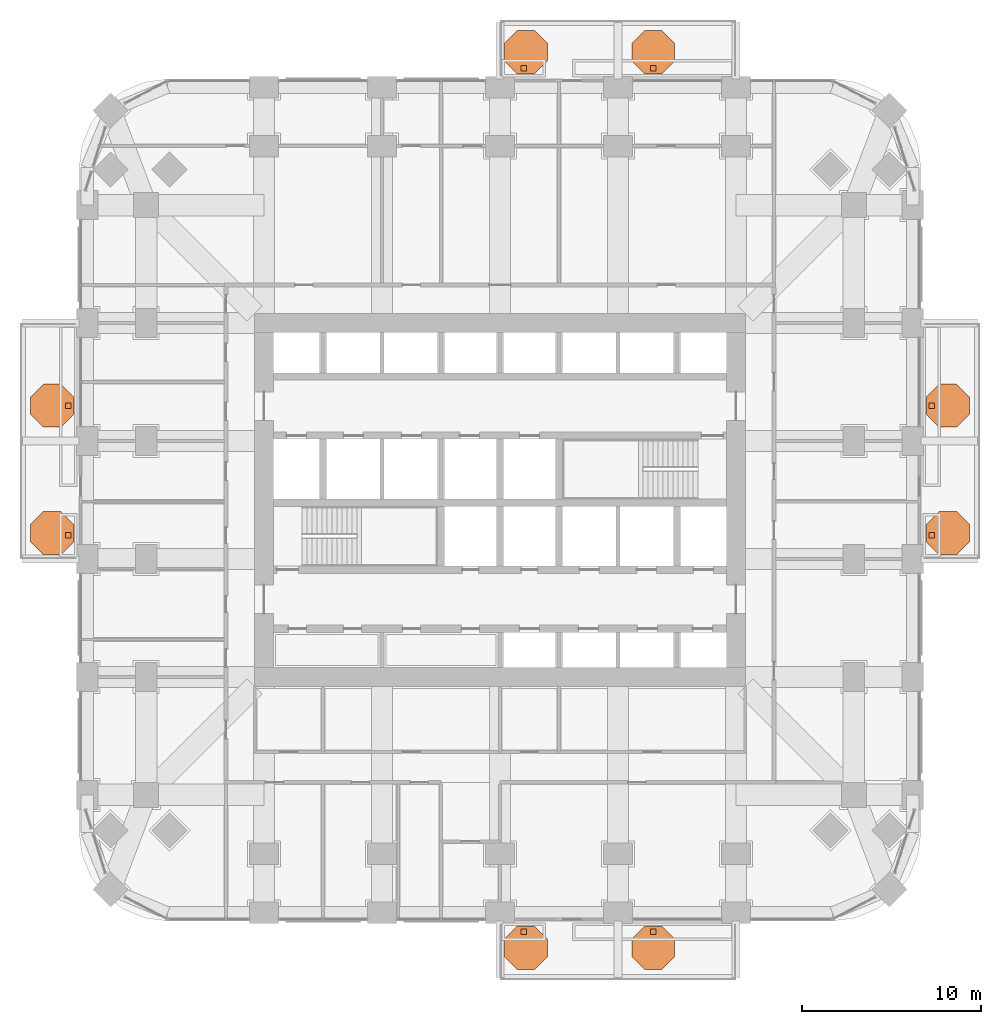
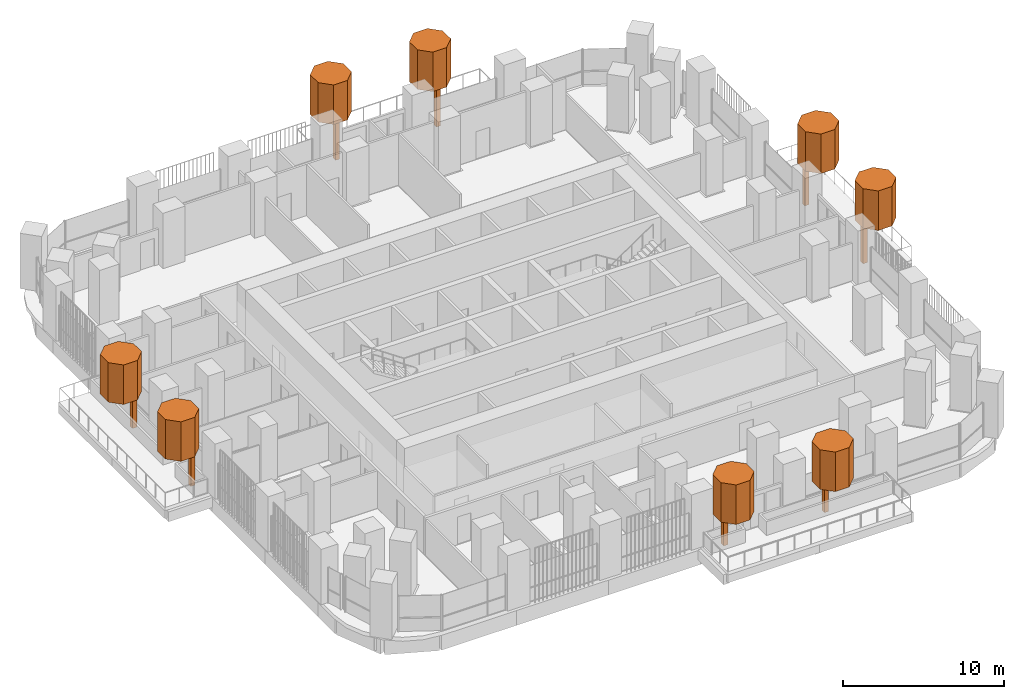
# One storey, part 21 of 21: 16 geographic elements.
"""IFC4 building model written with IfcOpenShell, lengths in metres."""

import ifcopenshell
import ifcopenshell.guid

model = None  # the IFC model being written
_history = None  # IfcOwnerHistory: only IFC2X3 demands one
_inside = {}  # id of a spatial element -> (the spatial element, [elements in it])
_under = {}  # id of a project, library or spatial element -> (it, [spatial elements below it])
_declared = {}  # id of a project -> (the project, [libraries it declares])
_typed = {}  # id of a type object -> (the type object, [elements of that type])
_made_of = {}  # id of a material, layer set ... -> (it, [elements and type objects made of it])


def new_model(schema):
    """Start an empty IFC model of exactly this schema.

    Asked for "IFC4X3", IfcOpenShell would pick the latest addendum, in which some entities
    have other attributes; the version numbers below select the first issue.
    IFC2X3 requires an IfcOwnerHistory on every rooted entity: one is made here for all.
    """
    global model, _history
    if schema == "IFC4X3":
        model = ifcopenshell.file(schema_version=(4, 3, 0, 0))
    else:
        model = ifcopenshell.file(schema=schema)
    _inside.clear()
    _under.clear()
    _declared.clear()
    _typed.clear()
    _made_of.clear()
    _history = None
    if model.schema == "IFC2X3":
        org = make("IfcOrganization", Name="unknown")
        user = make(
            "IfcPersonAndOrganization",
            ThePerson=make("IfcPerson", FamilyName="unknown"),
            TheOrganization=org,
        )
        app = make(
            "IfcApplication",
            ApplicationDeveloper=org,
            Version="unknown",
            ApplicationFullName="unknown",
            ApplicationIdentifier="unknown",
        )
        _history = make(
            "IfcOwnerHistory",
            OwningUser=user,
            OwningApplication=app,
            ChangeAction="ADDED",
            CreationDate=0,
        )
    return model


def make(cls, **values):
    """One entity of the class cls with the attributes given. An attribute that is None is left unset."""
    return model.create_entity(
        cls, **{name: value for name, value in values.items() if value is not None}
    )


def rooted(cls, **values):
    """An entity with a GlobalId (a new one), such as an element, a storey or a relation."""
    return make(cls, GlobalId=ifcopenshell.guid.new(), OwnerHistory=_history, **values)


def si_unit(unit_type, name, prefix=None):
    """IfcSIUnit, for example si_unit("LENGTHUNIT", "METRE", prefix="MILLI")."""
    return make("IfcSIUnit", UnitType=unit_type, Prefix=prefix, Name=name)


def assignment(units):
    """IfcUnitAssignment: the units of a project."""
    return None if units is None else make("IfcUnitAssignment", Units=units)


def point(xyz):
    """IfcCartesianPoint."""
    return None if xyz is None else make("IfcCartesianPoint", Coordinates=xyz)


def direction(xyz):
    """IfcDirection."""
    return None if xyz is None else make("IfcDirection", DirectionRatios=xyz)


def frame(location, z_axis=None, x_axis=None):
    """IfcAxis2Placement3D, a coordinate frame: its origin and axes. An axis left out is left unset."""
    return make(
        "IfcAxis2Placement3D",
        Location=point(location),
        Axis=direction(z_axis),
        RefDirection=direction(x_axis),
    )


def frame_2d(location, x_axis=None):
    """IfcAxis2Placement2D, a coordinate frame in the plane: its origin and x axis."""
    return make(
        "IfcAxis2Placement2D", Location=point(location), RefDirection=direction(x_axis)
    )


def origin():
    """The frame at (0, 0, 0) with its axes left unset."""
    return frame((0.0, 0.0, 0.0))


def origin_2d():
    """The frame at (0, 0) in the plane with its x axis left unset."""
    return frame_2d((0.0, 0.0))


def place(relative_to, where):
    """IfcLocalPlacement: puts the frame where relative to a parent placement (None: the world)."""
    return make(
        "IfcLocalPlacement", PlacementRelTo=relative_to, RelativePlacement=where
    )


def context(
    kind, dimensions, precision=None, world=None, true_north=None, identifier=None
):
    """IfcGeometricRepresentationContext, for example the 3D "Model" context."""
    return make(
        "IfcGeometricRepresentationContext",
        ContextIdentifier=identifier,
        ContextType=kind,
        CoordinateSpaceDimension=dimensions,
        Precision=precision,
        WorldCoordinateSystem=world,
        TrueNorth=true_north,
    )


def subcontext(parent, identifier, kind, view, scale=None):
    """IfcGeometricRepresentationSubContext, for example "Body" below "Model"."""
    return make(
        "IfcGeometricRepresentationSubContext",
        ContextIdentifier=identifier,
        ContextType=kind,
        ParentContext=parent,
        TargetScale=scale,
        TargetView=view,
    )


def project(units=None, contexts=None):
    """IfcProject with its units and contexts."""
    return rooted(
        "IfcProject",
        Name="project",
        RepresentationContexts=contexts,
        UnitsInContext=assignment(units),
    )


def spatial(cls, under=None, at=None, **own):
    """A site, building, storey or space (cls), placed at a placement, below another one or the project."""
    s = rooted(cls, ObjectPlacement=at, **own)
    if under is not None:
        _under.setdefault(under.id(), (under, []))[1].append(s)
    return s


def polyline(points):
    """IfcPolyline through the points."""
    return make("IfcPolyline", Points=[point(p) for p in points])


def profile(cls, at=None, kind="AREA", **sizes):
    """A parametric profile (cls). Its sizes go by their IFC names, for example OverallWidth=200.0."""
    return make(cls, ProfileType=kind, Position=at, **sizes)


def rectangle(**sizes):
    """IfcRectangleProfileDef."""
    return profile("IfcRectangleProfileDef", **sizes)


def outline(outer, holes=None, kind="AREA"):
    """IfcArbitraryClosedProfileDef: a profile drawn as a closed curve; with holes, ...WithVoids."""
    if holes is None:
        return make("IfcArbitraryClosedProfileDef", ProfileType=kind, OuterCurve=outer)
    return make(
        "IfcArbitraryProfileDefWithVoids",
        ProfileType=kind,
        OuterCurve=outer,
        InnerCurves=holes,
    )


def extrude(swept, where, along, depth):
    """IfcExtrudedAreaSolid: the profile swept, set in the frame where, extruded along a direction by depth."""
    return make(
        "IfcExtrudedAreaSolid",
        SweptArea=swept,
        Position=where,
        ExtrudedDirection=direction(along),
        Depth=depth,
    )


def shape(context_of_items, identifier, shape_type, items):
    """IfcShapeRepresentation: the items that make up one representation, for example the "Body"."""
    return make(
        "IfcShapeRepresentation",
        ContextOfItems=context_of_items,
        RepresentationIdentifier=identifier,
        RepresentationType=shape_type,
        Items=items,
    )


def material(Name=None, Category=None):
    """IfcMaterial."""
    return make("IfcMaterial", Name=Name, Category=Category)


def made_of(thing, what):
    """Note that an element or type object is made of a material, layer set ...; save() writes the relation."""
    if what is not None:
        _made_of.setdefault(what.id(), (what, []))[1].append(thing)
    return thing


def type_object(cls, material=None, **own):
    """A type object (cls), such as IfcWallType, which elements share."""
    return made_of(rooted(cls, **own), material)


def element(
    cls,
    number,
    at=None,
    inside=None,
    cuts=None,
    type_object=None,
    material=None,
    context=None,
    identifier="Body",
    shape_type=None,
    held_by="IfcProductDefinitionShape",
    body=None,
    shapes=None,
    **own,
):
    """One element of the class cls, such as IfcWall. Its Tag is "e" and its number.

    at: its placement. inside: the storey or other place that contains it. cuts: it is an
    opening in that element (IfcRelVoidsElement). A single representation is given by context,
    identifier, shape_type and body (its items); several are given by shapes. held_by: the class
    of the entity that holds the representations. save() writes the other relations.
    """
    e = rooted(cls, Tag="e%d" % number, ObjectPlacement=at, **own)
    if body is not None:
        shapes = [shape(context, identifier, shape_type, body)]
    if shapes is not None:
        e.Representation = make(held_by, Representations=shapes)
    if inside is not None:
        _inside.setdefault(inside.id(), (inside, []))[1].append(e)
    if cuts is not None:
        rooted(
            "IfcRelVoidsElement", RelatingBuildingElement=cuts, RelatedOpeningElement=e
        )
    if type_object is not None:
        _typed.setdefault(type_object.id(), (type_object, []))[1].append(e)
    return made_of(e, material)


def aggregate(whole, parts):
    """IfcRelAggregates: a whole, such as a stair, and the parts it consists of."""
    return rooted("IfcRelAggregates", RelatingObject=whole, RelatedObjects=parts)


def save(model, path):
    """Write the relations noted so far, then the file.

    IfcRelAggregates (storeys below a building ...), IfcRelContainedInSpatialStructure (elements
    in a storey), IfcRelDefinesByType, IfcRelAssociatesMaterial and IfcRelDeclares: one each for
    every whole, place, type object, material and project.
    """
    for whole, parts in _under.values():
        aggregate(whole, parts)
    for where, things in _inside.values():
        rooted(
            "IfcRelContainedInSpatialStructure",
            RelatedElements=things,
            RelatingStructure=where,
        )
    for kind, things in _typed.values():
        rooted("IfcRelDefinesByType", RelatedObjects=things, RelatingType=kind)
    for what, things in _made_of.values():
        rooted("IfcRelAssociatesMaterial", RelatedObjects=things, RelatingMaterial=what)
    for by, libraries in _declared.values():
        rooted("IfcRelDeclares", RelatingContext=by, RelatedDefinitions=libraries)
    model.write(path)


model = new_model("IFC4")

# Units and contexts
model_context = context("Model", 3, precision=1e-05, world=origin(), true_north=direction((0.0, 1.0)))
body_context = subcontext(model_context, "Body", "Model", "MODEL_VIEW")
ifc_project = project(units=[si_unit("LENGTHUNIT", "METRE"), si_unit("AREAUNIT", "SQUARE_METRE"), si_unit("VOLUMEUNIT", "CUBIC_METRE"), si_unit("PLANEANGLEUNIT", "RADIAN"), si_unit("MASSUNIT", "GRAM", prefix="KILO")], contexts=[model_context])

# Site, building, storey
site_placement = place(None, origin())
site = spatial("IfcSite", under=ifc_project, at=site_placement, CompositionType="ELEMENT")
building_placement = place(site_placement, origin())
building = spatial("IfcBuilding", under=site, at=building_placement, Name="Cobogo Forest Laboratory Tower", CompositionType="ELEMENT")
storey_placement = place(building_placement, frame((0.0, 0.0, 86.39990234375)))
storey = spatial("IfcBuildingStorey", under=building, at=storey_placement, Name="L19", CompositionType="ELEMENT", Elevation=86.39990234375)

# Geographic elements
ifc_material = material(Name="Planting", Category="plant")
geographic_element_type_1 = type_object("IfcGeographicElementType", Name="Tree trunk 300", PredefinedType="USERDEFINED", material=ifc_material)
for number, where, z_axis, x_axis, name in (
    (1, (27.72509765625, -1.050048828125, 0.000244140625), (0.0, 0.0, 1.0), (1.0, 0.0, 0.0), "Tree trunk BAL-S1-PL1 L19"),
    (2, (34.97509765625, -1.050048828125, 0.000244140625), (0.0, 0.0, 1.0), (1.0, 0.0, 0.0), "Tree trunk BAL-S1-PL2 L19"),
    (3, (50.550048828125, 21.125, 0.000244140625), (0.0, 0.0, 1.0), (1.0, 0.0, 0.0), "Tree trunk BAL-E1-PL1 L19"),
    (4, (50.550048828125, 28.375, 0.000244140625), (0.0, 0.0, 1.0), (1.0, 0.0, 0.0), "Tree trunk BAL-E1-PL2 L19"),
    (5, (27.72509765625, 47.25, 0.000244140625), (0.0, 0.0, 1.0), (1.0, 0.0, 0.0), "Tree trunk BAL-N1-PL1 L19"),
    (6, (34.97509765625, 47.25, 0.000244140625), (0.0, 0.0, 1.0), (1.0, 0.0, 0.0), "Tree trunk BAL-N1-PL2 L19"),
    (7, (2.25, 21.125, 0.000244140625), (0.0, 0.0, 1.0), (1.0, 0.0, 0.0), "Tree trunk BAL-W1-PL1 L19"),
    (8, (2.25, 28.375, 0.000244140625), (0.0, 0.0, 1.0), (1.0, 0.0, 0.0), "Tree trunk BAL-W1-PL2 L19"),
):
    element("IfcGeographicElement", number, at=place(storey_placement, frame(where, z_axis=z_axis, x_axis=x_axis)), inside=storey, type_object=geographic_element_type_1, Name=name, ObjectType="TREE TRUNK", PredefinedType="USERDEFINED", context=body_context, shape_type="SweptSolid", body=[
        extrude(rectangle(XDim=0.300048828125, YDim=0.300048828125, at=origin_2d()), origin(), (0.0, 0.0, 1.0), 2.89990234375),
    ])
geographic_element_type_2 = type_object("IfcGeographicElementType", Name="Tree, holm oak 5 m", PredefinedType="USERDEFINED", material=ifc_material)
geographic_element_1_placement = place(storey_placement, frame((0.0, 0.0, 2.900146484375)))
element("IfcGeographicElement", 9, at=geographic_element_1_placement, inside=storey, type_object=geographic_element_type_2, Name="Holm tree BAL-S1-PL1 L19", ObjectType="TREE", PredefinedType="USERDEFINED", context=body_context, shape_type="SweptSolid", body=[
    extrude(outline(polyline([(29.050048828125, -2.447021484375), (29.050048828125, -1.452880859375), (28.34716796875, -0.75), (27.35302734375, -0.75), (26.64990234375, -1.452880859375), (26.64990234375, -2.447021484375), (27.35302734375, -3.14990234375), (28.34716796875, -3.14990234375), (29.050048828125, -2.447021484375)])), origin(), (0.0, 0.0, 1.0), 3.0),
])
geographic_element_2_placement = place(storey_placement, frame((0.0, 0.0, 2.900146484375)))
element("IfcGeographicElement", 10, at=geographic_element_2_placement, inside=storey, type_object=geographic_element_type_2, Name="Holm tree BAL-S1-PL2 L19", ObjectType="TREE", PredefinedType="USERDEFINED", context=body_context, shape_type="SweptSolid", body=[
    extrude(outline(polyline([(36.175048828125, -2.447021484375), (36.175048828125, -1.452880859375), (35.47216796875, -0.75), (34.47802734375, -0.75), (33.77490234375, -1.452880859375), (33.77490234375, -2.447021484375), (34.47802734375, -3.14990234375), (35.47216796875, -3.14990234375), (36.175048828125, -2.447021484375)])), origin(), (0.0, 0.0, 1.0), 3.0),
])
geographic_element_3_placement = place(storey_placement, frame((0.0, 0.0, 2.900146484375)))
element("IfcGeographicElement", 11, at=geographic_element_3_placement, inside=storey, type_object=geographic_element_type_2, Name="Holm tree BAL-E1-PL1 L19", ObjectType="TREE", PredefinedType="USERDEFINED", context=body_context, shape_type="SweptSolid", body=[
    extrude(outline(polyline([(52.64990234375, 20.7529296875), (52.64990234375, 21.7470703125), (51.947021484375, 22.449951171875), (50.952880859375, 22.449951171875), (50.25, 21.7470703125), (50.25, 20.7529296875), (50.952880859375, 20.050048828125), (51.947021484375, 20.050048828125), (52.64990234375, 20.7529296875)])), origin(), (0.0, 0.0, 1.0), 3.0),
])
geographic_element_4_placement = place(storey_placement, frame((0.0, 0.0, 2.900146484375)))
element("IfcGeographicElement", 12, at=geographic_element_4_placement, inside=storey, type_object=geographic_element_type_2, Name="Holm tree BAL-E1-PL2 L19", ObjectType="TREE", PredefinedType="USERDEFINED", context=body_context, shape_type="SweptSolid", body=[
    extrude(outline(polyline([(52.64990234375, 27.8779296875), (52.64990234375, 28.8720703125), (51.947021484375, 29.574951171875), (50.952880859375, 29.574951171875), (50.25, 28.8720703125), (50.25, 27.8779296875), (50.952880859375, 27.175048828125), (51.947021484375, 27.175048828125), (52.64990234375, 27.8779296875)])), origin(), (0.0, 0.0, 1.0), 3.0),
])
geographic_element_5_placement = place(storey_placement, frame((0.0, 0.0, 2.900146484375)))
element("IfcGeographicElement", 13, at=geographic_element_5_placement, inside=storey, type_object=geographic_element_type_2, Name="Holm tree BAL-N1-PL1 L19", ObjectType="TREE", PredefinedType="USERDEFINED", context=body_context, shape_type="SweptSolid", body=[
    extrude(outline(polyline([(29.050048828125, 47.65283203125), (29.050048828125, 48.64697265625), (28.34716796875, 49.35009765625), (27.35302734375, 49.35009765625), (26.64990234375, 48.64697265625), (26.64990234375, 47.65283203125), (27.35302734375, 46.949951171875), (28.34716796875, 46.949951171875), (29.050048828125, 47.65283203125)])), origin(), (0.0, 0.0, 1.0), 3.0),
])
geographic_element_6_placement = place(storey_placement, frame((0.0, 0.0, 2.900146484375)))
element("IfcGeographicElement", 14, at=geographic_element_6_placement, inside=storey, type_object=geographic_element_type_2, Name="Holm tree BAL-N1-PL2 L19", ObjectType="TREE", PredefinedType="USERDEFINED", context=body_context, shape_type="SweptSolid", body=[
    extrude(outline(polyline([(36.175048828125, 47.65283203125), (36.175048828125, 48.64697265625), (35.47216796875, 49.35009765625), (34.47802734375, 49.35009765625), (33.77490234375, 48.64697265625), (33.77490234375, 47.65283203125), (34.47802734375, 46.949951171875), (35.47216796875, 46.949951171875), (36.175048828125, 47.65283203125)])), origin(), (0.0, 0.0, 1.0), 3.0),
])
geographic_element_7_placement = place(storey_placement, frame((0.0, 0.0, 2.900146484375)))
element("IfcGeographicElement", 15, at=geographic_element_7_placement, inside=storey, type_object=geographic_element_type_2, Name="Holm tree BAL-W1-PL1 L19", ObjectType="TREE", PredefinedType="USERDEFINED", context=body_context, shape_type="SweptSolid", body=[
    extrude(outline(polyline([(2.550048828125, 20.7529296875), (2.550048828125, 21.7470703125), (1.84716796875, 22.449951171875), (0.85302734375, 22.449951171875), (0.14990234375, 21.7470703125), (0.14990234375, 20.7529296875), (0.85302734375, 20.050048828125), (1.84716796875, 20.050048828125), (2.550048828125, 20.7529296875)])), origin(), (0.0, 0.0, 1.0), 3.0),
])
geographic_element_8_placement = place(storey_placement, frame((0.0, 0.0, 2.900146484375)))
element("IfcGeographicElement", 16, at=geographic_element_8_placement, inside=storey, type_object=geographic_element_type_2, Name="Holm tree BAL-W1-PL2 L19", ObjectType="TREE", PredefinedType="USERDEFINED", context=body_context, shape_type="SweptSolid", body=[
    extrude(outline(polyline([(2.550048828125, 27.8779296875), (2.550048828125, 28.8720703125), (1.84716796875, 29.574951171875), (0.85302734375, 29.574951171875), (0.14990234375, 28.8720703125), (0.14990234375, 27.8779296875), (0.85302734375, 27.175048828125), (1.84716796875, 27.175048828125), (2.550048828125, 27.8779296875)])), origin(), (0.0, 0.0, 1.0), 3.0),
])

save(model, "model.ifc")
